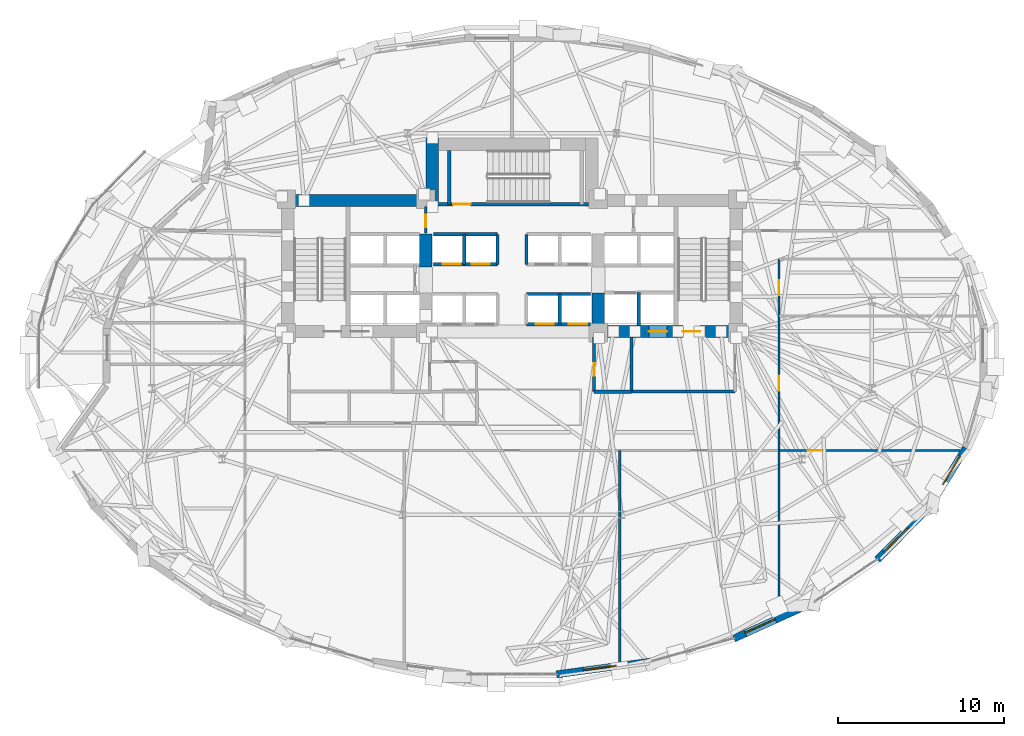
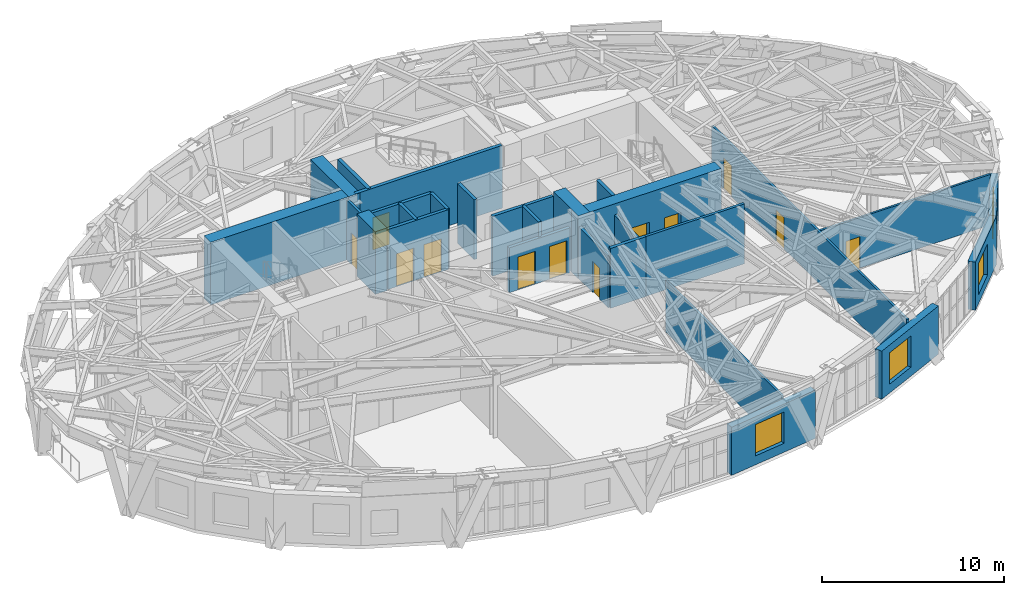
# One storey, part 14 of 20: 28 walls, 12 doors, 4 windows, 16 openings.
"""IFC4 building model written with IfcOpenShell, lengths in metres."""

import ifcopenshell
import ifcopenshell.guid

model = None  # the IFC model being written
_history = None  # IfcOwnerHistory: only IFC2X3 demands one
_inside = {}  # id of a spatial element -> (the spatial element, [elements in it])
_under = {}  # id of a project, library or spatial element -> (it, [spatial elements below it])
_declared = {}  # id of a project -> (the project, [libraries it declares])
_typed = {}  # id of a type object -> (the type object, [elements of that type])
_made_of = {}  # id of a material, layer set ... -> (it, [elements and type objects made of it])


def new_model(schema):
    """Start an empty IFC model of exactly this schema.

    Asked for "IFC4X3", IfcOpenShell would pick the latest addendum, in which some entities
    have other attributes; the version numbers below select the first issue.
    IFC2X3 requires an IfcOwnerHistory on every rooted entity: one is made here for all.
    """
    global model, _history
    if schema == "IFC4X3":
        model = ifcopenshell.file(schema_version=(4, 3, 0, 0))
    else:
        model = ifcopenshell.file(schema=schema)
    _inside.clear()
    _under.clear()
    _declared.clear()
    _typed.clear()
    _made_of.clear()
    _history = None
    if model.schema == "IFC2X3":
        org = make("IfcOrganization", Name="unknown")
        user = make(
            "IfcPersonAndOrganization",
            ThePerson=make("IfcPerson", FamilyName="unknown"),
            TheOrganization=org,
        )
        app = make(
            "IfcApplication",
            ApplicationDeveloper=org,
            Version="unknown",
            ApplicationFullName="unknown",
            ApplicationIdentifier="unknown",
        )
        _history = make(
            "IfcOwnerHistory",
            OwningUser=user,
            OwningApplication=app,
            ChangeAction="ADDED",
            CreationDate=0,
        )
    return model


def make(cls, **values):
    """One entity of the class cls with the attributes given. An attribute that is None is left unset."""
    return model.create_entity(
        cls, **{name: value for name, value in values.items() if value is not None}
    )


def rooted(cls, **values):
    """An entity with a GlobalId (a new one), such as an element, a storey or a relation."""
    return make(cls, GlobalId=ifcopenshell.guid.new(), OwnerHistory=_history, **values)


def si_unit(unit_type, name, prefix=None):
    """IfcSIUnit, for example si_unit("LENGTHUNIT", "METRE", prefix="MILLI")."""
    return make("IfcSIUnit", UnitType=unit_type, Prefix=prefix, Name=name)


def assignment(units):
    """IfcUnitAssignment: the units of a project."""
    return None if units is None else make("IfcUnitAssignment", Units=units)


def point(xyz):
    """IfcCartesianPoint."""
    return None if xyz is None else make("IfcCartesianPoint", Coordinates=xyz)


def direction(xyz):
    """IfcDirection."""
    return None if xyz is None else make("IfcDirection", DirectionRatios=xyz)


def frame(location, z_axis=None, x_axis=None):
    """IfcAxis2Placement3D, a coordinate frame: its origin and axes. An axis left out is left unset."""
    return make(
        "IfcAxis2Placement3D",
        Location=point(location),
        Axis=direction(z_axis),
        RefDirection=direction(x_axis),
    )


def frame_2d(location, x_axis=None):
    """IfcAxis2Placement2D, a coordinate frame in the plane: its origin and x axis."""
    return make(
        "IfcAxis2Placement2D", Location=point(location), RefDirection=direction(x_axis)
    )


def origin():
    """The frame at (0, 0, 0) with its axes left unset."""
    return frame((0.0, 0.0, 0.0))


def place(relative_to, where):
    """IfcLocalPlacement: puts the frame where relative to a parent placement (None: the world)."""
    return make(
        "IfcLocalPlacement", PlacementRelTo=relative_to, RelativePlacement=where
    )


def context(
    kind, dimensions, precision=None, world=None, true_north=None, identifier=None
):
    """IfcGeometricRepresentationContext, for example the 3D "Model" context."""
    return make(
        "IfcGeometricRepresentationContext",
        ContextIdentifier=identifier,
        ContextType=kind,
        CoordinateSpaceDimension=dimensions,
        Precision=precision,
        WorldCoordinateSystem=world,
        TrueNorth=true_north,
    )


def subcontext(parent, identifier, kind, view, scale=None):
    """IfcGeometricRepresentationSubContext, for example "Body" below "Model"."""
    return make(
        "IfcGeometricRepresentationSubContext",
        ContextIdentifier=identifier,
        ContextType=kind,
        ParentContext=parent,
        TargetScale=scale,
        TargetView=view,
    )


def project(units=None, contexts=None):
    """IfcProject with its units and contexts."""
    return rooted(
        "IfcProject",
        Name="project",
        RepresentationContexts=contexts,
        UnitsInContext=assignment(units),
    )


def spatial(cls, under=None, at=None, **own):
    """A site, building, storey or space (cls), placed at a placement, below another one or the project."""
    s = rooted(cls, ObjectPlacement=at, **own)
    if under is not None:
        _under.setdefault(under.id(), (under, []))[1].append(s)
    return s


def profile(cls, at=None, kind="AREA", **sizes):
    """A parametric profile (cls). Its sizes go by their IFC names, for example OverallWidth=200.0."""
    return make(cls, ProfileType=kind, Position=at, **sizes)


def rectangle(**sizes):
    """IfcRectangleProfileDef."""
    return profile("IfcRectangleProfileDef", **sizes)


def extrude(swept, where, along, depth):
    """IfcExtrudedAreaSolid: the profile swept, set in the frame where, extruded along a direction by depth."""
    return make(
        "IfcExtrudedAreaSolid",
        SweptArea=swept,
        Position=where,
        ExtrudedDirection=direction(along),
        Depth=depth,
    )


def shape(context_of_items, identifier, shape_type, items):
    """IfcShapeRepresentation: the items that make up one representation, for example the "Body"."""
    return make(
        "IfcShapeRepresentation",
        ContextOfItems=context_of_items,
        RepresentationIdentifier=identifier,
        RepresentationType=shape_type,
        Items=items,
    )


def material(Name=None, Category=None):
    """IfcMaterial."""
    return make("IfcMaterial", Name=Name, Category=Category)


def layer(
    of_material, thickness, ventilated=None, Name=None, Category=None, Priority=None
):
    """IfcMaterialLayer: one layer of a wall or slab, of a material (None: an air gap)."""
    return make(
        "IfcMaterialLayer",
        Material=of_material,
        LayerThickness=thickness,
        IsVentilated=ventilated,
        Name=Name,
        Category=Category,
        Priority=Priority,
    )


def layer_set(layers, Name=None):
    """IfcMaterialLayerSet."""
    return make("IfcMaterialLayerSet", MaterialLayers=layers, LayerSetName=Name)


def made_of(thing, what):
    """Note that an element or type object is made of a material, layer set ...; save() writes the relation."""
    if what is not None:
        _made_of.setdefault(what.id(), (what, []))[1].append(thing)
    return thing


def type_object(cls, material=None, **own):
    """A type object (cls), such as IfcWallType, which elements share."""
    return made_of(rooted(cls, **own), material)


def element(
    cls,
    number,
    at=None,
    inside=None,
    cuts=None,
    type_object=None,
    material=None,
    context=None,
    identifier="Body",
    shape_type=None,
    held_by="IfcProductDefinitionShape",
    body=None,
    shapes=None,
    **own,
):
    """One element of the class cls, such as IfcWall. Its Tag is "e" and its number.

    at: its placement. inside: the storey or other place that contains it. cuts: it is an
    opening in that element (IfcRelVoidsElement). A single representation is given by context,
    identifier, shape_type and body (its items); several are given by shapes. held_by: the class
    of the entity that holds the representations. save() writes the other relations.
    """
    e = rooted(cls, Tag="e%d" % number, ObjectPlacement=at, **own)
    if body is not None:
        shapes = [shape(context, identifier, shape_type, body)]
    if shapes is not None:
        e.Representation = make(held_by, Representations=shapes)
    if inside is not None:
        _inside.setdefault(inside.id(), (inside, []))[1].append(e)
    if cuts is not None:
        rooted(
            "IfcRelVoidsElement", RelatingBuildingElement=cuts, RelatedOpeningElement=e
        )
    if type_object is not None:
        _typed.setdefault(type_object.id(), (type_object, []))[1].append(e)
    return made_of(e, material)


def fill(opening, filler):
    """IfcRelFillsElement: the door or window that sits in an opening."""
    return rooted(
        "IfcRelFillsElement",
        RelatingOpeningElement=opening,
        RelatedBuildingElement=filler,
    )


def aggregate(whole, parts):
    """IfcRelAggregates: a whole, such as a stair, and the parts it consists of."""
    return rooted("IfcRelAggregates", RelatingObject=whole, RelatedObjects=parts)


def save(model, path):
    """Write the relations noted so far, then the file.

    IfcRelAggregates (storeys below a building ...), IfcRelContainedInSpatialStructure (elements
    in a storey), IfcRelDefinesByType, IfcRelAssociatesMaterial and IfcRelDeclares: one each for
    every whole, place, type object, material and project.
    """
    for whole, parts in _under.values():
        aggregate(whole, parts)
    for where, things in _inside.values():
        rooted(
            "IfcRelContainedInSpatialStructure",
            RelatedElements=things,
            RelatingStructure=where,
        )
    for kind, things in _typed.values():
        rooted("IfcRelDefinesByType", RelatedObjects=things, RelatingType=kind)
    for what, things in _made_of.values():
        rooted("IfcRelAssociatesMaterial", RelatedObjects=things, RelatingMaterial=what)
    for by, libraries in _declared.values():
        rooted("IfcRelDeclares", RelatingContext=by, RelatedDefinitions=libraries)
    model.write(path)


model = new_model("IFC4")

# Units and contexts
model_context = context("Model", 3, precision=1e-05, world=origin(), true_north=direction((0.0, 1.0)))
body_context = subcontext(model_context, "Body", "Model", "MODEL_VIEW")
ifc_project = project(units=[si_unit("LENGTHUNIT", "METRE"), si_unit("AREAUNIT", "SQUARE_METRE"), si_unit("VOLUMEUNIT", "CUBIC_METRE"), si_unit("PLANEANGLEUNIT", "RADIAN"), si_unit("MASSUNIT", "GRAM", prefix="KILO")], contexts=[model_context])

# Site, building, storey
site_placement = place(None, origin())
site = spatial("IfcSite", under=ifc_project, at=site_placement, CompositionType="ELEMENT")
building_placement = place(site_placement, origin())
building = spatial("IfcBuilding", under=site, at=building_placement, Name="Keldmark Tower", CompositionType="ELEMENT")
storey_placement = place(building_placement, frame((0.0, 0.0, 81.89990234375)))
storey = spatial("IfcBuildingStorey", under=building, at=storey_placement, Name="L21", CompositionType="ELEMENT", Elevation=81.89990234375)

# Wall, openings, doors
ifc_material_1 = material(Name="Acoustic Double-Layer Gypsum Corridor Partition", Category="gypsum")
ifc_layer_1 = layer(ifc_material_1, 0.139892578125)
ifc_layer_set_1 = layer_set([ifc_layer_1], Name="Acoustic Double-Layer Gypsum Corridor Partition")
wall_type_1 = type_object("IfcWallType", Name="Acoustic Corridor Partition 140 mm", PredefinedType="PARTITIONING", material=ifc_layer_set_1)
wall_1_placement = place(storey_placement, frame((16.10009765625, -15.56396484375, 0.0), z_axis=(0.0, 0.0, 1.0), x_axis=(0.0, 1.0, 0.0)))
wall_1 = element("IfcWall", 1, at=wall_1_placement, inside=storey, type_object=wall_type_1, Name="L21 Acoustic Corridor Partition 140 mm COR-E", PredefinedType="PARTITIONING", context=body_context, shape_type="SweptSolid", body=[
    extrude(rectangle(XDim=21.4140625, YDim=0.139892578125, at=frame_2d((10.70703125, 0.0))), origin(), (0.0, 0.0, 1.0), 3.451171875),
])
opening_1_placement = place(wall_1_placement, frame((13.464111328125, 0.0, 0.0)))
opening_1 = element("IfcOpeningElement", 2, at=opening_1_placement, cuts=wall_1, Name="Opening D-IN090", PredefinedType="OPENING", context=body_context, shape_type="SweptSolid", body=[
    extrude(rectangle(XDim=0.89990234375, YDim=2.10009765625, at=frame_2d((0.449951171875, 1.050048828125))), frame((0.0, 0.079833984375, 0.0), z_axis=(0.0, -1.0, 0.0), x_axis=(1.0, 0.0, 0.0)), (0.0, 0.0, 1.0), 0.159912109375),
])
opening_2_placement = place(wall_1_placement, frame((19.239013671875, 0.0, 0.0)))
opening_2 = element("IfcOpeningElement", 3, at=opening_2_placement, cuts=wall_1, Name="Opening D-IN090", PredefinedType="OPENING", context=body_context, shape_type="SweptSolid", body=[
    extrude(rectangle(XDim=0.89990234375, YDim=2.10009765625, at=frame_2d((0.449951171875, 1.050048828125))), frame((0.0, 0.079833984375, 0.0), z_axis=(0.0, -1.0, 0.0), x_axis=(1.0, 0.0, 0.0)), (0.0, 0.0, 1.0), 0.159912109375),
])
ifc_material_2 = material(Name="Stained American White Oak Veneer", Category="wood")
door_type_1 = type_object("IfcDoorType", Name="Interior Door 900x2100", OperationType="NOTDEFINED", PredefinedType="DOOR", material=ifc_material_2)
door_1_placement = place(opening_1_placement, origin())
door_1 = element("IfcDoor", 4, at=door_1_placement, inside=storey, type_object=door_type_1, Name="L21 Interior Door 900x2100 D-ER-1-L21", OperationType="SINGLE_SWING_RIGHT", OverallHeight=2.10009765625, OverallWidth=0.89990234375, PredefinedType="DOOR", context=body_context, shape_type="SweptSolid", body=[
    extrude(rectangle(XDim=0.89990234375, YDim=2.10009765625, at=frame_2d((0.449951171875, 1.050048828125))), frame((0.0, 0.02490234375, 0.0), z_axis=(0.0, -1.0, 0.0), x_axis=(1.0, 0.0, 0.0)), (0.0, 0.0, 1.0), 0.050048828125),
])
fill(opening_1, door_1)
door_2_placement = place(opening_2_placement, origin())
door_2 = element("IfcDoor", 5, at=door_2_placement, inside=storey, type_object=door_type_1, Name="L21 Interior Door 900x2100 D-ER-2-L21", OperationType="SINGLE_SWING_LEFT", OverallHeight=2.10009765625, OverallWidth=0.89990234375, PredefinedType="DOOR", context=body_context, shape_type="SweptSolid", body=[
    extrude(rectangle(XDim=0.89990234375, YDim=2.10009765625, at=frame_2d((0.449951171875, 1.050048828125))), frame((0.0, 0.02490234375, 0.0), z_axis=(0.0, -1.0, 0.0), x_axis=(1.0, 0.0, 0.0)), (0.0, 0.0, 1.0), 0.050048828125),
])
fill(opening_2, door_2)

# Wall
ifc_material_3 = material(Name="Acoustic Gypsum Board Interior Partition", Category="gypsum")
ifc_layer_2 = layer(ifc_material_3, 0.1298828125)
ifc_layer_set_2 = layer_set([ifc_layer_2], Name="Acoustic Gypsum Board Interior Partition")
wall_type_2 = type_object("IfcWallType", Name="Interior Partition 130 mm", PredefinedType="PARTITIONING", material=ifc_layer_set_2)
wall_2_placement = place(storey_placement, frame((6.5, -18.458740234375, 0.0), z_axis=(0.0, 0.0, 1.0), x_axis=(0.0, 1.0, 0.0)))
element("IfcWall", 6, at=wall_2_placement, inside=storey, type_object=wall_type_2, Name="L21 Interior Partition 130 mm S-DIV-2", PredefinedType="PARTITIONING", context=body_context, shape_type="SweptSolid", body=[
    extrude(rectangle(XDim=12.7587890625, YDim=0.1298828125, at=frame_2d((6.37939453125, 0.0))), origin(), (0.0, 0.0, 1.0), 3.451171875),
])

# Wall, opening, door
wall_3_placement = place(storey_placement, frame((16.10009765625, -5.699951171875, 0.0), z_axis=(0.0, 0.0, 1.0), x_axis=(1.0, 0.0, 0.0)))
wall_3 = element("IfcWall", 7, at=wall_3_placement, inside=storey, type_object=wall_type_2, Name="L21 Interior Partition 130 mm E-CAP-S", PredefinedType="PARTITIONING", context=body_context, shape_type="SweptSolid", body=[
    extrude(rectangle(XDim=10.910400390625, YDim=0.1298828125, at=frame_2d((5.455078125, 0.0))), origin(), (0.0, 0.0, 1.0), 3.38818359375),
])
opening_3_placement = place(wall_3_placement, frame((1.72998046875, 0.0, 0.0)))
opening_3 = element("IfcOpeningElement", 8, at=opening_3_placement, cuts=wall_3, Name="Opening D-IN090", PredefinedType="OPENING", context=body_context, shape_type="SweptSolid", body=[
    extrude(rectangle(XDim=0.89990234375, YDim=2.10009765625, at=frame_2d((0.449951171875, 1.050048828125))), frame((0.0, 0.074951171875, 0.0), z_axis=(0.0, -1.0, 0.0), x_axis=(1.0, 0.0, 0.0)), (0.0, 0.0, 1.0), 0.14990234375),
])
door_3_placement = place(opening_3_placement, origin())
door_3 = element("IfcDoor", 9, at=door_3_placement, inside=storey, type_object=door_type_1, Name="L21 Interior Door 900x2100 D-ERSE-L21", OperationType="SINGLE_SWING_RIGHT", OverallHeight=2.10009765625, OverallWidth=0.89990234375, PredefinedType="DOOR", context=body_context, shape_type="SweptSolid", body=[
    extrude(rectangle(XDim=0.89990234375, YDim=2.10009765625, at=frame_2d((0.449951171875, 1.050048828125))), frame((0.0, 0.02490234375, 0.0), z_axis=(0.0, -1.0, 0.0), x_axis=(1.0, 0.0, 0.0)), (0.0, 0.0, 1.0), 0.050048828125),
])
fill(opening_3, door_3)

# Walls
ifc_material_4 = material(Name="Concrete C70/85", Category="concrete")
ifc_layer_3 = layer(ifc_material_4, 0.75)
ifc_layer_set_3 = layer_set([ifc_layer_3], Name="Concrete C70/85")
wall_type_3 = type_object("IfcWallType", Name="Low-Mid Core Shear Wall 750 mm", PredefinedType="SHEAR", material=ifc_layer_set_3)
wall_4_placement = place(storey_placement, frame((-13.89990234375, 9.375, 0.0), z_axis=(0.0, 0.0, 1.0), x_axis=(1.0, 0.0, 0.0)))
element("IfcWall", 10, at=wall_4_placement, inside=storey, type_object=wall_type_3, Name="L21 West Core North Shear Wall", PredefinedType="SHEAR", context=body_context, shape_type="SweptSolid", body=[
    extrude(rectangle(XDim=9.474853515625, YDim=0.75, at=frame_2d((4.7373046875, 0.0))), origin(), (0.0, 0.0, 1.0), 4.2001953125),
])
wall_5_placement = place(storey_placement, frame((-5.199951171875, 5.35009765625, 0.0), z_axis=(0.0, 0.0, 1.0), x_axis=(0.0, 1.0, 0.0)))
element("IfcWall", 11, at=wall_5_placement, inside=storey, type_object=wall_type_3, Name="L21 West Core Inner Shear Pier North", PredefinedType="SHEAR", context=body_context, shape_type="SweptSolid", body=[
    extrude(rectangle(XDim=2.0, YDim=0.75, at=frame_2d((1.0, 0.0))), origin(), (0.0, 0.0, 1.0), 4.2001953125),
])

# Wall, openings, doors
wall_6_placement = place(storey_placement, frame((13.89990234375, 1.47509765625, 0.0), z_axis=(0.0, 0.0, 1.0), x_axis=(-1.0, 0.0, 0.0)))
wall_6 = element("IfcWall", 12, at=wall_6_placement, inside=storey, type_object=wall_type_3, Name="L21 East Core South Shear Wall", PredefinedType="SHEAR", context=body_context, shape_type="SweptSolid", body=[
    extrude(rectangle(XDim=9.074951171875, YDim=0.75, at=frame_2d((4.53759765625, 0.0))), origin(), (0.0, 0.0, 1.0), 4.2001953125),
])
opening_4_placement = place(wall_6_placement, frame((2.550048828125, 0.0, 0.0)))
opening_4 = element("IfcOpeningElement", 13, at=opening_4_placement, cuts=wall_6, Name="Opening D-ST105", PredefinedType="OPENING", context=body_context, shape_type="SweptSolid", body=[
    extrude(rectangle(XDim=1.050048828125, YDim=2.14990234375, at=frame_2d((0.52490234375, 1.074951171875))), frame((0.0, 0.385009765625, 0.0), z_axis=(0.0, -1.0, 0.0), x_axis=(1.0, 0.0, 0.0)), (0.0, 0.0, 1.0), 0.77001953125),
])
opening_5_placement = place(wall_6_placement, frame((4.550048828125, 0.0, 0.0)))
opening_5 = element("IfcOpeningElement", 14, at=opening_5_placement, cuts=wall_6, Name="Opening LD-110", PredefinedType="OPENING", context=body_context, shape_type="SweptSolid", body=[
    extrude(rectangle(XDim=1.10009765625, YDim=2.199951171875, at=frame_2d((0.550048828125, 1.10009765625))), frame((0.0, 0.385009765625, 0.0), z_axis=(0.0, -1.0, 0.0), x_axis=(1.0, 0.0, 0.0)), (0.0, 0.0, 1.0), 0.77001953125),
])
ifc_material_5 = material(Name="Brushed Bronze Hoistway Sliding Leaf", Category="metal")
door_type_2 = type_object("IfcDoorType", Name="Lift Landing Sliding Door 1100x2200", OperationType="SLIDING_TO_LEFT", PredefinedType="DOOR", material=ifc_material_5)
door_4_placement = place(opening_5_placement, origin())
door_4 = element("IfcDoor", 15, at=door_4_placement, inside=storey, type_object=door_type_2, Name="L21 Lift Landing Sliding Door 1100x2200 LD-EL-FS2-L21", OperationType="SLIDING_TO_LEFT", OverallHeight=2.199951171875, OverallWidth=1.10009765625, PredefinedType="DOOR", context=body_context, shape_type="SweptSolid", body=[
    extrude(rectangle(XDim=1.10009765625, YDim=2.199951171875, at=frame_2d((0.550048828125, 1.10009765625))), frame((0.0, 0.02490234375, 0.0), z_axis=(0.0, -1.0, 0.0), x_axis=(1.0, 0.0, 0.0)), (0.0, 0.0, 1.0), 0.050048828125),
])
fill(opening_5, door_4)
ifc_material_6 = material(Name="Hollow Metal Fire-Rated Door Assembly", Category="metal")
door_type_3 = type_object("IfcDoorType", Name="Stair Fire Door 1050x2150", OperationType="NOTDEFINED", PredefinedType="DOOR", material=ifc_material_6)
door_5_placement = place(opening_4_placement, origin())
door_5 = element("IfcDoor", 16, at=door_5_placement, inside=storey, type_object=door_type_3, Name="L21 Stair Fire Door 1050x2150 D-ST2-L21", OperationType="SINGLE_SWING_LEFT", OverallHeight=2.14990234375, OverallWidth=1.050048828125, PredefinedType="DOOR", context=body_context, shape_type="SweptSolid", body=[
    extrude(rectangle(XDim=1.050048828125, YDim=2.14990234375, at=frame_2d((0.52490234375, 1.074951171875))), frame((0.0, 0.02490234375, 0.0), z_axis=(0.0, -1.0, 0.0), x_axis=(1.0, 0.0, 0.0)), (0.0, 0.0, 1.0), 0.050048828125),
])
fill(opening_4, door_5)

# Walls
wall_7_placement = place(storey_placement, frame((5.199951171875, 1.10009765625, 0.0), z_axis=(0.0, 0.0, 1.0), x_axis=(0.0, 1.0, 0.0)))
element("IfcWall", 17, at=wall_7_placement, inside=storey, type_object=wall_type_3, Name="L21 East Core Inner Shear Pier South", PredefinedType="SHEAR", context=body_context, shape_type="SweptSolid", body=[
    extrude(rectangle(XDim=2.699951171875, YDim=0.75, at=frame_2d((1.35009765625, 0.0))), origin(), (0.0, 0.0, 1.0), 4.2001953125),
])
wall_8_placement = place(storey_placement, frame((-4.800048828125, 9.0, 0.0), z_axis=(0.0, 0.0, 1.0), x_axis=(0.0, 1.0, 0.0)))
element("IfcWall", 18, at=wall_8_placement, inside=storey, type_object=wall_type_3, Name="L21 North Core West Shear Wall", PredefinedType="SHEAR", context=body_context, shape_type="SweptSolid", body=[
    extrude(rectangle(XDim=4.14990234375, YDim=0.75, at=frame_2d((2.074951171875, 0.0))), origin(), (0.0, 0.0, 1.0), 4.2001953125),
])
ifc_material_7 = material(Name="Type X Fire-Rated Gypsum Partition Assembly", Category="gypsum")
ifc_layer_4 = layer(ifc_material_7, 0.1650390625)
ifc_layer_set_4 = layer_set([ifc_layer_4], Name="Type X Fire-Rated Gypsum Partition Assembly")
wall_type_4 = type_object("IfcWallType", Name="Rated Partition 165 mm", PredefinedType="PARTITIONING", material=ifc_layer_set_4)
wall_9_placement = place(storey_placement, frame((7.199951171875, -2.14990234375, 0.0), z_axis=(0.0, 0.0, 1.0), x_axis=(1.0, 0.0, 0.0)))
element("IfcWall", 19, at=wall_9_placement, inside=storey, type_object=wall_type_4, Name="L21 Rated Partition 165 mm FSAE-E-S", PredefinedType="PARTITIONING", context=body_context, shape_type="SweptSolid", body=[
    extrude(rectangle(XDim=6.25, YDim=0.1650390625, at=frame_2d((3.125, 0.0))), origin(), (0.0, 0.0, 1.0), 4.010009765625),
])
wall_10_placement = place(storey_placement, frame((7.199951171875, -2.14990234375, 0.0), z_axis=(0.0, 0.0, 1.0), x_axis=(0.0, 1.0, 0.0)))
element("IfcWall", 20, at=wall_10_placement, inside=storey, type_object=wall_type_4, Name="L21 Rated Partition 165 mm FSAE-E-W", PredefinedType="PARTITIONING", context=body_context, shape_type="SweptSolid", body=[
    extrude(rectangle(XDim=3.2998046875, YDim=0.1650390625, at=frame_2d((1.64990234375, 0.0))), origin(), (0.0, 0.0, 1.0), 3.463134765625),
])

# Wall, opening, door
wall_11_placement = place(storey_placement, frame((-5.199951171875, 7.419921875, 0.0), z_axis=(0.0, 0.0, 1.0), x_axis=(0.0, 1.0, 0.0)))
wall_11 = element("IfcWall", 21, at=wall_11_placement, inside=storey, type_object=wall_type_4, Name="L21 Rated Partition 165 mm CS-NW-E", PredefinedType="PARTITIONING", context=body_context, shape_type="SweptSolid", body=[
    extrude(rectangle(XDim=1.580078125, YDim=0.1650390625, at=frame_2d((0.7900390625, 0.0))), origin(), (0.0, 0.0, 1.0), 4.010009765625),
])
opening_6_placement = place(wall_11_placement, frame((0.35009765625, 0.0, 0.0)))
opening_6 = element("IfcOpeningElement", 22, at=opening_6_placement, cuts=wall_11, Name="Opening D-RS075", PredefinedType="OPENING", context=body_context, shape_type="SweptSolid", body=[
    extrude(rectangle(XDim=0.75, YDim=2.10009765625, at=frame_2d((0.375, 1.050048828125))), frame((0.0, 0.092529296875, 0.0), z_axis=(0.0, -1.0, 0.0), x_axis=(1.0, 0.0, 0.0)), (0.0, 0.0, 1.0), 0.18505859375),
])
ifc_material_8 = material(Name="Galvanized Fire-Rated Access Leaf", Category="metal")
door_type_4 = type_object("IfcDoorType", Name="Riser Access Door 750x2100", OperationType="NOTDEFINED", PredefinedType="DOOR", material=ifc_material_8)
door_6_placement = place(opening_6_placement, origin())
door_6 = element("IfcDoor", 23, at=door_6_placement, inside=storey, type_object=door_type_4, Name="L21 Riser Access Door 750x2100 D-CSNW1-L21", OperationType="SINGLE_SWING_LEFT", OverallHeight=2.10009765625, OverallWidth=0.75, PredefinedType="DOOR", context=body_context, shape_type="SweptSolid", body=[
    extrude(rectangle(XDim=0.75, YDim=2.10009765625, at=frame_2d((0.375, 1.050048828125))), frame((0.0, 0.02490234375, 0.0), z_axis=(0.0, -1.0, 0.0), x_axis=(1.0, 0.0, 0.0)), (0.0, 0.0, 1.0), 0.050048828125),
])
fill(opening_6, door_6)

# Wall
ifc_material_9 = material(Name="Fire-Resistant Type X Gypsum Shaftliner Coreboard", Category="gypsum")
ifc_layer_5 = layer(ifc_material_9, 0.199951171875)
ifc_layer_set_5 = layer_set([ifc_layer_5], Name="Fire-Resistant Type X Gypsum Shaftliner Coreboard")
wall_type_5 = type_object("IfcWallType", Name="Shaft Wall 200 mm", PredefinedType="SOLIDWALL", material=ifc_layer_set_5)
wall_12_placement = place(storey_placement, frame((4.949951171875, -2.14990234375, 0.0), z_axis=(0.0, 0.0, 1.0), x_axis=(1.0, 0.0, 0.0)))
element("IfcWall", 24, at=wall_12_placement, inside=storey, type_object=wall_type_5, Name="L21 Shaft Wall 200 mm RIS-SE-S", PredefinedType="SOLIDWALL", context=body_context, shape_type="SweptSolid", body=[
    extrude(rectangle(XDim=2.25, YDim=0.199951171875, at=frame_2d((1.125, 0.0))), origin(), (0.0, 0.0, 1.0), 4.010009765625),
])

# Wall, opening, door
wall_13_placement = place(storey_placement, frame((4.949951171875, -2.14990234375, 0.0), z_axis=(0.0, 0.0, 1.0), x_axis=(0.0, 1.0, 0.0)))
wall_13 = element("IfcWall", 25, at=wall_13_placement, inside=storey, type_object=wall_type_5, Name="L21 Shaft Wall 200 mm RIS-SE-W", PredefinedType="SOLIDWALL", context=body_context, shape_type="SweptSolid", body=[
    extrude(rectangle(XDim=3.2998046875, YDim=0.199951171875, at=frame_2d((1.64990234375, 0.0))), origin(), (0.0, 0.0, 1.0), 3.463134765625),
])
opening_7_placement = place(wall_13_placement, frame((0.949951171875, 0.0, 0.0)))
opening_7 = element("IfcOpeningElement", 26, at=opening_7_placement, cuts=wall_13, Name="Opening D-RS075", PredefinedType="OPENING", context=body_context, shape_type="SweptSolid", body=[
    extrude(rectangle(XDim=0.75, YDim=2.10009765625, at=frame_2d((0.375, 1.050048828125))), frame((0.0, 0.10986328125, 0.0), z_axis=(0.0, -1.0, 0.0), x_axis=(1.0, 0.0, 0.0)), (0.0, 0.0, 1.0), 0.219970703125),
])
door_7_placement = place(opening_7_placement, origin())
door_7 = element("IfcDoor", 27, at=door_7_placement, inside=storey, type_object=door_type_4, Name="L21 Riser Access Door 750x2100 D-RISSE-L21", OperationType="SINGLE_SWING_LEFT", OverallHeight=2.10009765625, OverallWidth=0.75, PredefinedType="DOOR", context=body_context, shape_type="SweptSolid", body=[
    extrude(rectangle(XDim=0.75, YDim=2.10009765625, at=frame_2d((0.375, 1.050048828125))), frame((0.0, 0.02490234375, 0.0), z_axis=(0.0, -1.0, 0.0), x_axis=(1.0, 0.0, 0.0)), (0.0, 0.0, 1.0), 0.050048828125),
])
fill(opening_7, door_7)

# Wall
wall_14_placement = place(storey_placement, frame((7.64990234375, 1.85009765625, 0.0), z_axis=(0.0, 0.0, 1.0), x_axis=(0.0, 1.0, 0.0)))
element("IfcWall", 28, at=wall_14_placement, inside=storey, type_object=wall_type_5, Name="L21 Shaft Wall 200 mm HW-E-M", PredefinedType="SOLIDWALL", context=body_context, shape_type="SweptSolid", body=[
    extrude(rectangle(XDim=1.969970703125, YDim=0.199951171875, at=frame_2d((0.98486328125, 0.0))), origin(), (0.0, 0.0, 1.0), 4.010009765625),
])

# Wall, openings, doors
wall_15_placement = place(storey_placement, frame((0.8798828125, 1.919921875, 0.0), z_axis=(0.0, 0.0, 1.0), x_axis=(1.0, 0.0, 0.0)))
wall_15 = element("IfcWall", 29, at=wall_15_placement, inside=storey, type_object=wall_type_5, Name="L21 Shaft Wall 200 mm LOW-S-E", PredefinedType="SOLIDWALL", context=body_context, shape_type="SweptSolid", body=[
    extrude(rectangle(XDim=3.860107421875, YDim=0.199951171875, at=frame_2d((1.93017578125, 0.0))), origin(), (0.0, 0.0, 1.0), 3.0),
])
opening_8_placement = place(wall_15_placement, frame((0.550048828125, 0.0, 0.0)))
opening_8 = element("IfcOpeningElement", 30, at=opening_8_placement, cuts=wall_15, Name="Opening LD-110", PredefinedType="OPENING", context=body_context, shape_type="SweptSolid", body=[
    extrude(rectangle(XDim=1.10009765625, YDim=2.199951171875, at=frame_2d((0.550048828125, 1.10009765625))), frame((0.0, 0.10986328125, 0.0), z_axis=(0.0, -1.0, 0.0), x_axis=(1.0, 0.0, 0.0)), (0.0, 0.0, 1.0), 0.219970703125),
])
opening_9_placement = place(wall_15_placement, frame((2.550048828125, 0.0, 0.0)))
opening_9 = element("IfcOpeningElement", 31, at=opening_9_placement, cuts=wall_15, Name="Opening LD-110", PredefinedType="OPENING", context=body_context, shape_type="SweptSolid", body=[
    extrude(rectangle(XDim=1.10009765625, YDim=2.199951171875, at=frame_2d((0.550048828125, 1.10009765625))), frame((0.0, 0.10986328125, 0.0), z_axis=(0.0, -1.0, 0.0), x_axis=(1.0, 0.0, 0.0)), (0.0, 0.0, 1.0), 0.219970703125),
])
door_8_placement = place(opening_8_placement, origin())
door_8 = element("IfcDoor", 32, at=door_8_placement, inside=storey, type_object=door_type_2, Name="L21 Lift Landing Sliding Door 1100x2200 LD-EL-L3-L21", OperationType="SLIDING_TO_LEFT", OverallHeight=2.199951171875, OverallWidth=1.10009765625, PredefinedType="DOOR", context=body_context, shape_type="SweptSolid", body=[
    extrude(rectangle(XDim=1.10009765625, YDim=2.199951171875, at=frame_2d((0.550048828125, 1.10009765625))), frame((0.0, 0.02490234375, 0.0), z_axis=(0.0, -1.0, 0.0), x_axis=(1.0, 0.0, 0.0)), (0.0, 0.0, 1.0), 0.050048828125),
])
fill(opening_8, door_8)
door_9_placement = place(opening_9_placement, origin())
door_9 = element("IfcDoor", 33, at=door_9_placement, inside=storey, type_object=door_type_2, Name="L21 Lift Landing Sliding Door 1100x2200 LD-EL-L4-L21", OperationType="SLIDING_TO_LEFT", OverallHeight=2.199951171875, OverallWidth=1.10009765625, PredefinedType="DOOR", context=body_context, shape_type="SweptSolid", body=[
    extrude(rectangle(XDim=1.10009765625, YDim=2.199951171875, at=frame_2d((0.550048828125, 1.10009765625))), frame((0.0, 0.02490234375, 0.0), z_axis=(0.0, -1.0, 0.0), x_axis=(1.0, 0.0, 0.0)), (0.0, 0.0, 1.0), 0.050048828125),
])
fill(opening_9, door_9)

# Walls
wall_16_placement = place(storey_placement, frame((0.8798828125, 3.739990234375, 0.0), z_axis=(0.0, 0.0, 1.0), x_axis=(1.0, 0.0, 0.0)))
element("IfcWall", 34, at=wall_16_placement, inside=storey, type_object=wall_type_5, Name="L21 Shaft Wall 200 mm LOW-N-E", PredefinedType="SOLIDWALL", context=body_context, shape_type="SweptSolid", body=[
    extrude(rectangle(XDim=3.860107421875, YDim=0.199951171875, at=frame_2d((1.93017578125, 0.0))), origin(), (0.0, 0.0, 1.0), 4.010009765625),
])
wall_17_placement = place(storey_placement, frame((2.8798828125, 1.919921875, 0.0), z_axis=(0.0, 0.0, 1.0), x_axis=(0.0, 1.0, 0.0)))
element("IfcWall", 35, at=wall_17_placement, inside=storey, type_object=wall_type_5, Name="L21 Shaft Wall 200 mm LOW-M-E", PredefinedType="SOLIDWALL", context=body_context, shape_type="SweptSolid", body=[
    extrude(rectangle(XDim=1.820068359375, YDim=0.199951171875, at=frame_2d((0.91015625, 0.0))), origin(), (0.0, 0.0, 1.0), 4.010009765625),
])

# Wall, openings, doors
wall_18_placement = place(storey_placement, frame((-4.739990234375, 5.52001953125, 0.0), z_axis=(0.0, 0.0, 1.0), x_axis=(1.0, 0.0, 0.0)))
wall_18 = element("IfcWall", 36, at=wall_18_placement, inside=storey, type_object=wall_type_5, Name="L21 Shaft Wall 200 mm MID-S-W", PredefinedType="SOLIDWALL", context=body_context, shape_type="SweptSolid", body=[
    extrude(rectangle(XDim=3.860107421875, YDim=0.199951171875, at=frame_2d((1.93017578125, 0.0))), origin(), (0.0, 0.0, 1.0), 4.010009765625),
])
opening_10_placement = place(wall_18_placement, frame((0.550048828125, 0.0, 0.0)))
opening_10 = element("IfcOpeningElement", 37, at=opening_10_placement, cuts=wall_18, Name="Opening LD-110", PredefinedType="OPENING", context=body_context, shape_type="SweptSolid", body=[
    extrude(rectangle(XDim=1.10009765625, YDim=2.199951171875, at=frame_2d((0.550048828125, 1.10009765625))), frame((0.0, 0.10986328125, 0.0), z_axis=(0.0, -1.0, 0.0), x_axis=(1.0, 0.0, 0.0)), (0.0, 0.0, 1.0), 0.219970703125),
])
opening_11_placement = place(wall_18_placement, frame((2.300048828125, 0.0, 0.0)))
opening_11 = element("IfcOpeningElement", 38, at=opening_11_placement, cuts=wall_18, Name="Opening LD-110", PredefinedType="OPENING", context=body_context, shape_type="SweptSolid", body=[
    extrude(rectangle(XDim=1.10009765625, YDim=2.199951171875, at=frame_2d((0.550048828125, 1.10009765625))), frame((0.0, 0.10986328125, 0.0), z_axis=(0.0, -1.0, 0.0), x_axis=(1.0, 0.0, 0.0)), (0.0, 0.0, 1.0), 0.219970703125),
])
door_10_placement = place(opening_10_placement, origin())
door_10 = element("IfcDoor", 39, at=door_10_placement, inside=storey, type_object=door_type_2, Name="L21 Lift Landing Sliding Door 1100x2200 LD-EL-M1-L21", OperationType="SLIDING_TO_LEFT", OverallHeight=2.199951171875, OverallWidth=1.10009765625, PredefinedType="DOOR", context=body_context, shape_type="SweptSolid", body=[
    extrude(rectangle(XDim=1.10009765625, YDim=2.199951171875, at=frame_2d((0.550048828125, 1.10009765625))), frame((0.0, 0.02490234375, 0.0), z_axis=(0.0, -1.0, 0.0), x_axis=(1.0, 0.0, 0.0)), (0.0, 0.0, 1.0), 0.050048828125),
])
fill(opening_10, door_10)
door_11_placement = place(opening_11_placement, origin())
door_11 = element("IfcDoor", 40, at=door_11_placement, inside=storey, type_object=door_type_2, Name="L21 Lift Landing Sliding Door 1100x2200 LD-EL-M2-L21", OperationType="SLIDING_TO_LEFT", OverallHeight=2.199951171875, OverallWidth=1.10009765625, PredefinedType="DOOR", context=body_context, shape_type="SweptSolid", body=[
    extrude(rectangle(XDim=1.10009765625, YDim=2.199951171875, at=frame_2d((0.550048828125, 1.10009765625))), frame((0.0, 0.02490234375, 0.0), z_axis=(0.0, -1.0, 0.0), x_axis=(1.0, 0.0, 0.0)), (0.0, 0.0, 1.0), 0.050048828125),
])
fill(opening_11, door_11)

# Walls
wall_19_placement = place(storey_placement, frame((-4.739990234375, 7.330078125, 0.0), z_axis=(0.0, 0.0, 1.0), x_axis=(1.0, 0.0, 0.0)))
element("IfcWall", 41, at=wall_19_placement, inside=storey, type_object=wall_type_5, Name="L21 Shaft Wall 200 mm MID-N-W", PredefinedType="SOLIDWALL", context=body_context, shape_type="SweptSolid", body=[
    extrude(rectangle(XDim=3.860107421875, YDim=0.199951171875, at=frame_2d((1.93017578125, 0.0))), origin(), (0.0, 0.0, 1.0), 4.010009765625),
])
for number, where, z_axis, x_axis, name in (
    (42, (-2.8798828125, 5.52001953125, 0.0), (0.0, 0.0, 1.0), (0.0, 1.0, 0.0), "L21 Shaft Wall 200 mm MID-M-W"),
    (43, (-0.8798828125, 5.52001953125, 0.0), (0.0, 0.0, 1.0), (0.0, 1.0, 0.0), "L21 Shaft Wall 200 mm MID-C-W"),
    (44, (0.8798828125, 5.52001953125, 0.0), (0.0, 0.0, 1.0), (0.0, 1.0, 0.0), "L21 Shaft Wall 200 mm MID-C-E"),
):
    element("IfcWall", number, at=place(storey_placement, frame(where, z_axis=z_axis, x_axis=x_axis)), inside=storey, type_object=wall_type_5, Name=name, PredefinedType="SOLIDWALL", context=body_context, shape_type="SweptSolid", body=[
        extrude(rectangle(XDim=1.81005859375, YDim=0.199951171875, at=frame_2d((0.905029296875, 0.0))), origin(), (0.0, 0.0, 1.0), 4.010009765625),
    ])

# Wall, opening, door
ifc_material_10 = material(Name="Concrete C50/60", Category="concrete")
ifc_layer_6 = layer(ifc_material_10, 0.219970703125)
ifc_layer_set_6 = layer_set([ifc_layer_6], Name="Concrete C50/60")
wall_type_6 = type_object("IfcWallType", Name="Stair Core Shear Wall 220 mm", PredefinedType="SHEAR", material=ifc_layer_set_6)
wall_20_placement = place(storey_placement, frame((-4.699951171875, 9.139892578125, 0.0), z_axis=(0.0, 0.0, 1.0), x_axis=(1.0, 0.0, 0.0)))
wall_20 = element("IfcWall", 45, at=wall_20_placement, inside=storey, type_object=wall_type_6, Name="L21 Central Stair Core South Shear Wall", PredefinedType="SHEAR", context=body_context, shape_type="SweptSolid", body=[
    extrude(rectangle(XDim=9.300048828125, YDim=0.219970703125, at=frame_2d((4.64990234375, 0.0))), origin(), (0.0, 0.0, 1.0), 4.2001953125),
])
opening_12_placement = place(wall_20_placement, frame((1.14990234375, 0.0, 0.0)))
opening_12 = element("IfcOpeningElement", 46, at=opening_12_placement, cuts=wall_20, Name="Opening D-ST105", PredefinedType="OPENING", context=body_context, shape_type="SweptSolid", body=[
    extrude(rectangle(XDim=1.050048828125, YDim=2.14990234375, at=frame_2d((0.52490234375, 1.074951171875))), frame((0.0, 0.119873046875, 0.0), z_axis=(0.0, -1.0, 0.0), x_axis=(1.0, 0.0, 0.0)), (0.0, 0.0, 1.0), 0.239990234375),
])
door_12_placement = place(opening_12_placement, origin())
door_12 = element("IfcDoor", 47, at=door_12_placement, inside=storey, type_object=door_type_3, Name="L21 Stair Fire Door 1050x2150 D-ST3-L21", OperationType="SINGLE_SWING_RIGHT", OverallHeight=2.14990234375, OverallWidth=1.050048828125, PredefinedType="DOOR", context=body_context, shape_type="SweptSolid", body=[
    extrude(rectangle(XDim=1.050048828125, YDim=2.14990234375, at=frame_2d((0.52490234375, 1.074951171875))), frame((0.0, 0.02490234375, 0.0), z_axis=(0.0, -1.0, 0.0), x_axis=(1.0, 0.0, 0.0)), (0.0, 0.0, 1.0), 0.050048828125),
])
fill(opening_12, door_12)

# Wall
wall_21_placement = place(storey_placement, frame((-3.784912109375, 9.139892578125, 0.0), z_axis=(0.0, 0.0, 1.0), x_axis=(0.0, 1.0, 0.0)))
element("IfcWall", 48, at=wall_21_placement, inside=storey, type_object=wall_type_6, Name="L21 Central Stair Core West Shear Wall", PredefinedType="SHEAR", context=body_context, shape_type="SweptSolid", body=[
    extrude(rectangle(XDim=3.260009765625, YDim=0.219970703125, at=frame_2d((1.6298828125, 0.0))), origin(), (0.0, 0.0, 1.0), 4.2001953125),
])

# Wall, opening, window
ifc_material_11 = material(Name="Ironspot Manganese Brick and Kasota Buff Limestone Spandrel Assembly", Category="masonry")
ifc_layer_7 = layer(ifc_material_11, 0.43994140625)
ifc_layer_set_7 = layer_set([ifc_layer_7], Name="Ironspot Manganese Brick and Kasota Buff Limestone Spandrel Assembly")
wall_type_7 = type_object("IfcWallType", Name="Tower Brick Pier and Spandrel Wall 440 mm", PredefinedType="STANDARD", material=ifc_layer_set_7)
wall_22_placement = place(storey_placement, frame((8.439697265625, -18.427490234375, 0.0), z_axis=(0.0, 0.0, 1.0), x_axis=(-0.991045582644, -0.133523979573, 0.0)))
wall_22 = element("IfcWall", 49, at=wall_22_placement, inside=storey, type_object=wall_type_7, Name="L21 Exterior Brick and Spandrel Wall 25", PredefinedType="STANDARD", context=body_context, shape_type="SweptSolid", body=[
    extrude(rectangle(XDim=5.80712890625, YDim=0.43994140625, at=frame_2d((2.903564453125, 0.0))), origin(), (0.0, 0.0, 1.0), 3.22802734375),
])
opening_13_placement = place(wall_22_placement, frame((2.17529296875, 0.0, 0.60009765625)))
opening_13 = element("IfcOpeningElement", 50, at=opening_13_placement, cuts=wall_22, Name="Opening W-06", PredefinedType="OPENING", context=body_context, shape_type="SweptSolid", body=[
    extrude(rectangle(XDim=2.0, YDim=2.10009765625, at=frame_2d((1.0, 1.050048828125))), frame((0.0, 0.22998046875, 0.0), z_axis=(0.0, -1.0, 0.0), x_axis=(1.0, 0.0, 0.0)), (0.0, 0.0, 1.0), 0.4599609375),
])
ifc_material_12 = material(Name="Thermally Broken Anodized Aluminum and Triple Low-E Argon Glazing", Category="aluminium")
window_type = type_object("IfcWindowType", Name="Sky Lounge Tall Punched Window 2000x2100", PartitioningType="SINGLE_PANEL", PredefinedType="WINDOW", material=ifc_material_12)
window_1_placement = place(opening_13_placement, origin())
window_1 = element("IfcWindow", 51, at=window_1_placement, inside=storey, type_object=window_type, Name="L21 Deep-Set Window 25", OverallHeight=2.10009765625, OverallWidth=2.0, PartitioningType="SINGLE_PANEL", PredefinedType="WINDOW", context=body_context, shape_type="SweptSolid", body=[
    extrude(rectangle(XDim=2.0, YDim=2.10009765625, at=frame_2d((1.0, 1.050048828125))), frame((0.0, -0.010009765625, 0.0), z_axis=(0.0, -1.0, 0.0), x_axis=(1.0, 0.0, 0.0)), (0.0, 0.0, 1.0), 0.06005859375),
])
fill(opening_13, window_1)

wall_23_placement = place(storey_placement, frame((18.27099609375, -14.83203125, 0.0), z_axis=(0.0, 0.0, 1.0), x_axis=(-0.911098551086, -0.412188585734, 0.0)))
wall_23 = element("IfcWall", 52, at=wall_23_placement, inside=storey, type_object=wall_type_7, Name="L21 Exterior Brick and Spandrel Wall 27", PredefinedType="STANDARD", context=body_context, shape_type="SweptSolid", body=[
    extrude(rectangle(XDim=5.357421875, YDim=0.43994140625, at=frame_2d((2.6787109375, 0.0))), origin(), (0.0, 0.0, 1.0), 3.22802734375),
])
opening_14_placement = place(wall_23_placement, frame((2.615234375, 0.0, 0.60009765625)))
opening_14 = element("IfcOpeningElement", 53, at=opening_14_placement, cuts=wall_23, Name="Opening W-06", PredefinedType="OPENING", context=body_context, shape_type="SweptSolid", body=[
    extrude(rectangle(XDim=2.0, YDim=2.10009765625, at=frame_2d((1.0, 1.050048828125))), frame((0.0, 0.22998046875, 0.0), z_axis=(0.0, -1.0, 0.0), x_axis=(1.0, 0.0, 0.0)), (0.0, 0.0, 1.0), 0.4599609375),
])
window_2_placement = place(opening_14_placement, origin())
window_2 = element("IfcWindow", 54, at=window_2_placement, inside=storey, type_object=window_type, Name="L21 Deep-Set Window 27", OverallHeight=2.10009765625, OverallWidth=2.0, PartitioningType="SINGLE_PANEL", PredefinedType="WINDOW", context=body_context, shape_type="SweptSolid", body=[
    extrude(rectangle(XDim=2.0, YDim=2.10009765625, at=frame_2d((1.0, 1.050048828125))), frame((0.0, -0.010009765625, 0.0), z_axis=(0.0, -1.0, 0.0), x_axis=(1.0, 0.0, 0.0)), (0.0, 0.0, 1.0), 0.06005859375),
])
fill(opening_14, window_2)

wall_24_placement = place(storey_placement, frame((25.24267578125, -9.03759765625, 0.0), z_axis=(0.0, 0.0, 1.0), x_axis=(-0.702407124545, -0.711775407968, 0.0)))
wall_24 = element("IfcWall", 55, at=wall_24_placement, inside=storey, type_object=wall_type_7, Name="L21 Exterior Brick and Spandrel Wall 29", PredefinedType="STANDARD", context=body_context, shape_type="SweptSolid", body=[
    extrude(rectangle(XDim=4.560546875, YDim=0.43994140625, at=frame_2d((2.2802734375, 0.0))), origin(), (0.0, 0.0, 1.0), 3.232177734375),
])
opening_15_placement = place(wall_24_placement, frame((1.918701171875, 0.0, 0.60009765625)))
opening_15 = element("IfcOpeningElement", 56, at=opening_15_placement, cuts=wall_24, Name="Opening W-06", PredefinedType="OPENING", context=body_context, shape_type="SweptSolid", body=[
    extrude(rectangle(XDim=2.0, YDim=2.10009765625, at=frame_2d((1.0, 1.050048828125))), frame((0.0, 0.22998046875, 0.0), z_axis=(0.0, -1.0, 0.0), x_axis=(1.0, 0.0, 0.0)), (0.0, 0.0, 1.0), 0.4599609375),
])
window_3_placement = place(opening_15_placement, origin())
window_3 = element("IfcWindow", 57, at=window_3_placement, inside=storey, type_object=window_type, Name="L21 Deep-Set Window 29", OverallHeight=2.10009765625, OverallWidth=2.0, PartitioningType="SINGLE_PANEL", PredefinedType="WINDOW", context=body_context, shape_type="SweptSolid", body=[
    extrude(rectangle(XDim=2.0, YDim=2.10009765625, at=frame_2d((1.0, 1.050048828125))), frame((0.0, -0.010009765625, 0.0), z_axis=(0.0, -1.0, 0.0), x_axis=(1.0, 0.0, 0.0)), (0.0, 0.0, 1.0), 0.06005859375),
])
fill(opening_15, window_3)

wall_25_placement = place(storey_placement, frame((27.372314453125, -5.5458984375, 0.0), z_axis=(0.0, 0.0, 1.0), x_axis=(-0.521891226532, -0.85301204427, 0.0)))
wall_25 = element("IfcWall", 58, at=wall_25_placement, inside=storey, type_object=wall_type_7, Name="L21 Exterior Brick and Spandrel Wall 30", PredefinedType="STANDARD", context=body_context, shape_type="SweptSolid", body=[
    extrude(rectangle(XDim=4.14013671875, YDim=0.43994140625, at=frame_2d((2.070068359375, 0.0))), origin(), (0.0, 0.0, 1.0), 3.22802734375),
])
opening_16_placement = place(wall_25_placement, frame((0.59765625, 0.0, 0.60009765625)))
opening_16 = element("IfcOpeningElement", 59, at=opening_16_placement, cuts=wall_25, Name="Opening W-06", PredefinedType="OPENING", context=body_context, shape_type="SweptSolid", body=[
    extrude(rectangle(XDim=2.0, YDim=2.10009765625, at=frame_2d((1.0, 1.050048828125))), frame((0.0, 0.22998046875, 0.0), z_axis=(0.0, -1.0, 0.0), x_axis=(1.0, 0.0, 0.0)), (0.0, 0.0, 1.0), 0.4599609375),
])
window_4_placement = place(opening_16_placement, origin())
window_4 = element("IfcWindow", 60, at=window_4_placement, inside=storey, type_object=window_type, Name="L21 Deep-Set Window 30", OverallHeight=2.10009765625, OverallWidth=2.0, PartitioningType="SINGLE_PANEL", PredefinedType="WINDOW", context=body_context, shape_type="SweptSolid", body=[
    extrude(rectangle(XDim=2.0, YDim=2.10009765625, at=frame_2d((1.0, 1.050048828125))), frame((0.0, -0.010009765625, 0.0), z_axis=(0.0, -1.0, 0.0), x_axis=(1.0, 0.0, 0.0)), (0.0, 0.0, 1.0), 0.06005859375),
])
fill(opening_16, window_4)

save(model, "model.ifc")
